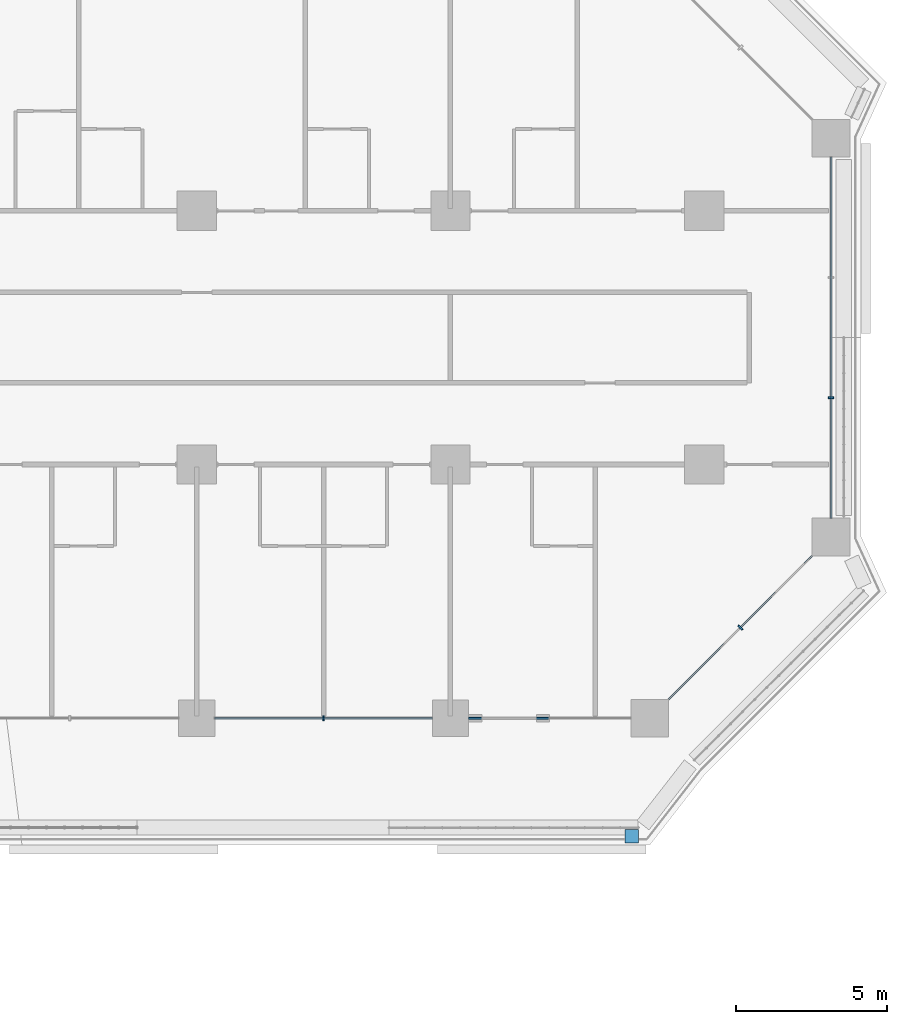
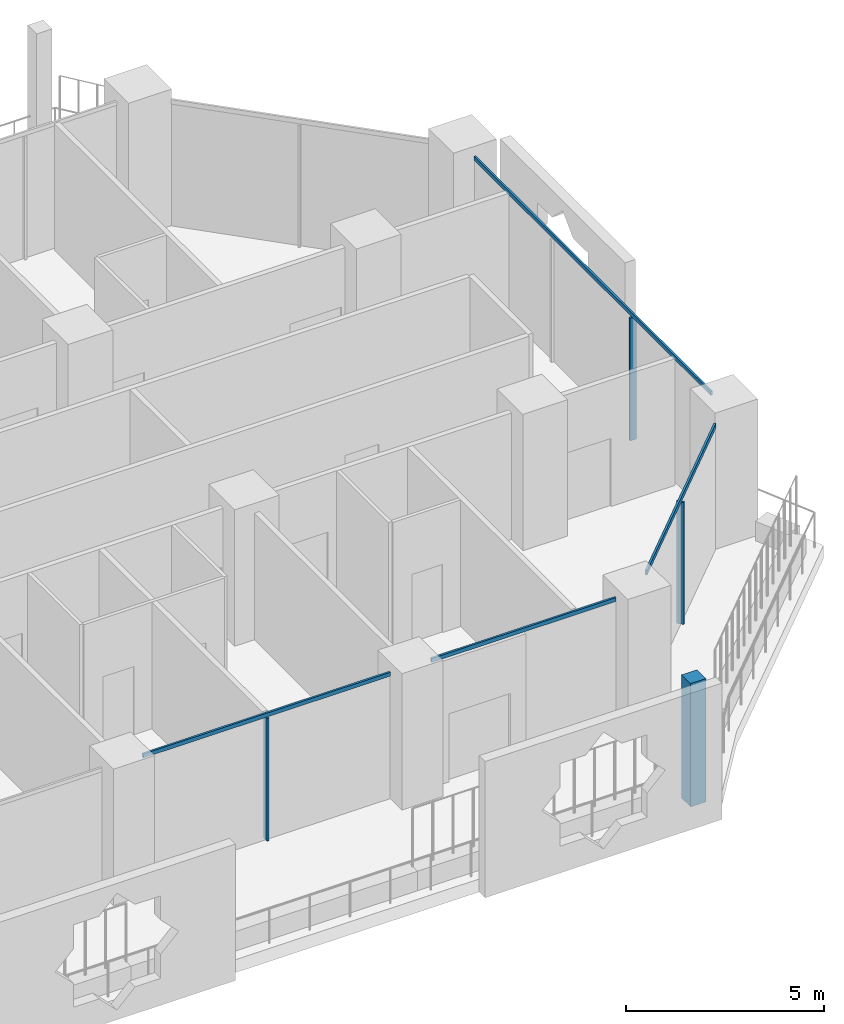
# One storey, part 7 of 27: 8 members, 4 elements without a shape of their own.
"""IFC4 building model written with IfcOpenShell, lengths in metres."""

from ifc_helpers import new_model, si_unit, direction, frame, origin, origin_2d, place, context, subcontext, project, spatial, rectangle, extrude, material, layer, layer_set, material_profile, profile_set, type_object, element, aggregate, save


model = new_model("IFC4")

# Units and contexts
model_context = context("Model", 3, precision=1e-05, world=origin(), true_north=direction((0.0, 1.0)))
body_context = subcontext(model_context, "Body", "Model", "MODEL_VIEW")
ifc_project = project(units=[si_unit("LENGTHUNIT", "METRE"), si_unit("AREAUNIT", "SQUARE_METRE"), si_unit("VOLUMEUNIT", "CUBIC_METRE"), si_unit("PLANEANGLEUNIT", "RADIAN"), si_unit("MASSUNIT", "GRAM", prefix="KILO")], contexts=[model_context])

# Site, building, storey
site_placement = place(None, origin())
site = spatial("IfcSite", under=ifc_project, at=site_placement, CompositionType="ELEMENT")
building_placement = place(site_placement, origin())
building = spatial("IfcBuilding", under=site, at=building_placement, Name="Kawkab Arch Medical Tower", CompositionType="ELEMENT")
storey_placement = place(building_placement, frame((0.0, 0.0, 85.39990234375)))
storey = spatial("IfcBuildingStorey", under=building, at=storey_placement, Name="L19", CompositionType="ELEMENT", Elevation=85.39990234375)

# Curtain wall, member
ifc_material_1 = material(Name="Bronze anodised aluminium curtain wall frame", Category="aluminium")
ifc_layer_1 = layer(ifc_material_1, 0.159912109375)
ifc_layer_set_1 = layer_set([ifc_layer_1], Name="Bronze anodised aluminium curtain wall frame")
curtain_wall_type_1 = type_object("IfcCurtainWallType", Name="CW1 ward curtain wall", PredefinedType="NOTDEFINED", material=ifc_layer_set_1)
placement = place(storey_placement, origin())
curtain_wall_1 = element("IfcCurtainWall", 1, at=placement, inside=storey, type_object=curtain_wall_type_1, Name="CW1 Ward curtain wall R07", PredefinedType="NOTDEFINED")
ifc_material_2 = material(Name="Bronze anodised aluminium curtain wall frame", Category="aluminium")
ifc_material_profile_1 = material_profile(ifc_material_2, rectangle(XDim=0.179931640625, YDim=0.06005859375, at=origin_2d()), Name="AL 60x180")
ifc_profile_set_1 = profile_set([ifc_material_profile_1], Name="Bronze anodised aluminium curtain wall frame")
member_type_1 = type_object("IfcMemberType", Name="CW1 mullion 60 x 180", PredefinedType="MULLION", material=ifc_profile_set_1)
member_1_placement = place(storey_placement, frame((63.0, -25.199951171875, 0.0), z_axis=(0.0, 0.0, 1.0), x_axis=(0.0, 1.0, 0.0)))
member_1 = element("IfcMember", 2, at=member_1_placement, type_object=member_type_1, Name="CW1 mullion 4.1", PredefinedType="MULLION", context=body_context, shape_type="SweptSolid", body=[
    extrude(rectangle(XDim=0.179931640625, YDim=0.06005859375, at=origin_2d()), origin(), (0.0, 0.0, 1.0), 3.780029296875),
])

curtain_wall_2 = element("IfcCurtainWall", 3, at=placement, inside=storey, type_object=curtain_wall_type_1, Name="CW1 Ward curtain wall R09", PredefinedType="NOTDEFINED")
member_2_placement = place(storey_placement, frame((79.800048828125, -14.591552734375, 0.0), z_axis=(0.0, 0.0, 1.0), x_axis=(-1.0, 0.0, 0.0)))
member_2 = element("IfcMember", 4, at=member_2_placement, type_object=member_type_1, Name="CW1 mullion 1.1", PredefinedType="MULLION", context=body_context, shape_type="SweptSolid", body=[
    extrude(rectangle(XDim=0.179931640625, YDim=0.06005859375, at=origin_2d()), origin(), (0.0, 0.0, 1.0), 3.780029296875),
])

# Member
ifc_material_3 = material(Name="Bronze anodised aluminium curtain wall frame", Category="aluminium")
ifc_material_profile_2 = material_profile(ifc_material_3, rectangle(XDim=0.06005859375, YDim=0.1201171875, at=origin_2d()), Name="AL 60x120")
ifc_profile_set_2 = profile_set([ifc_material_profile_2], Name="Bronze anodised aluminium curtain wall frame")
member_type_2 = type_object("IfcMemberType", Name="CW1 transom 120 x 60", PredefinedType="USERDEFINED", material=ifc_profile_set_2)
member_3_placement = place(storey_placement, frame((59.39990234375, -25.199951171875, 3.840087890625), z_axis=(1.0, 0.0, 0.0), x_axis=(0.0, 1.0, 0.0)))
member_3 = element("IfcMember", 5, at=member_3_placement, type_object=member_type_2, Name="CW1 transom 4", ObjectType="TRANSOM", PredefinedType="USERDEFINED", context=body_context, shape_type="SweptSolid", body=[
    extrude(rectangle(XDim=0.06005859375, YDim=0.1201171875, at=origin_2d()), origin(), (0.0, 0.0, 1.0), 7.2001953125),
])

member_4_placement = place(storey_placement, frame((67.800048828125, -25.199951171875, 3.840087890625), z_axis=(1.0, 0.0, 0.0), x_axis=(0.0, 1.0, 0.0)))
member_4 = element("IfcMember", 6, at=member_4_placement, type_object=member_type_2, Name="CW1 transom 5", ObjectType="TRANSOM", PredefinedType="USERDEFINED", context=body_context, shape_type="SweptSolid", body=[
    extrude(rectangle(XDim=0.06005859375, YDim=0.1201171875, at=origin_2d()), origin(), (0.0, 0.0, 1.0), 5.375),
])

aggregate(curtain_wall_1, [member_3, member_1, member_4])

member_5_placement = place(storey_placement, frame((79.800048828125, -18.574951171875, 3.840087890625), z_axis=(0.0, 1.0, 0.0), x_axis=(-1.0, 0.0, 0.0)))
member_5 = element("IfcMember", 7, at=member_5_placement, type_object=member_type_2, Name="CW1 transom 1", ObjectType="TRANSOM", PredefinedType="USERDEFINED", context=body_context, shape_type="SweptSolid", body=[
    extrude(rectangle(XDim=0.06005859375, YDim=0.1201171875, at=origin_2d()), origin(), (0.0, 0.0, 1.0), 11.949951171875),
])

aggregate(curtain_wall_2, [member_5, member_2])

# Curtain wall, members
ifc_material_4 = material(Name="Bronze anodised aluminium curtain wall frame", Category="aluminium")
ifc_layer_2 = layer(ifc_material_4, 0.159912109375)
ifc_layer_set_2 = layer_set([ifc_layer_2], Name="Bronze anodised aluminium curtain wall frame")
curtain_wall_type_2 = type_object("IfcCurtainWallType", Name="CW2 chamfer curtain wall", PredefinedType="NOTDEFINED", material=ifc_layer_set_2)
curtain_wall_3 = element("IfcCurtainWall", 8, at=placement, inside=storey, type_object=curtain_wall_type_2, Name="CW2 Chamfer curtain wall R08", PredefinedType="NOTDEFINED")
ifc_material_5 = material(Name="Bronze anodised aluminium curtain wall frame", Category="aluminium")
ifc_material_profile_3 = material_profile(ifc_material_5, rectangle(XDim=0.199951171875, YDim=0.06005859375, at=origin_2d()), Name="AL 60x200")
ifc_profile_set_3 = profile_set([ifc_material_profile_3], Name="Bronze anodised aluminium curtain wall frame")
member_type_3 = type_object("IfcMemberType", Name="CW2 mullion 60 x 200", PredefinedType="MULLION", material=ifc_profile_set_3)
member_6_placement = place(storey_placement, frame((76.800048828125, -22.199951171875, 0.0), z_axis=(0.0, 0.0, 1.0), x_axis=(-0.707106781187, 0.707106781187, 0.0)))
member_6 = element("IfcMember", 9, at=member_6_placement, type_object=member_type_3, Name="CW2 mullion 1.1", PredefinedType="MULLION", context=body_context, shape_type="SweptSolid", body=[
    extrude(rectangle(XDim=0.199951171875, YDim=0.06005859375, at=origin_2d()), origin(), (0.0, 0.0, 1.0), 3.760009765625),
])
ifc_material_6 = material(Name="Bronze anodised aluminium curtain wall frame", Category="aluminium")
ifc_material_profile_4 = material_profile(ifc_material_6, rectangle(XDim=0.06005859375, YDim=0.139892578125, at=origin_2d()), Name="AL 60x140")
ifc_profile_set_4 = profile_set([ifc_material_profile_4], Name="Bronze anodised aluminium curtain wall frame")
member_type_4 = type_object("IfcMemberType", Name="CW2 transom 140 x 60", PredefinedType="USERDEFINED", material=ifc_profile_set_4)
member_7_placement = place(storey_placement, frame((74.425048828125, -24.574951171875, 3.830078125), z_axis=(0.707106781187, 0.707106781187, 0.0), x_axis=(-0.707106781187, 0.707106781187, 0.0)))
member_7 = element("IfcMember", 10, at=member_7_placement, type_object=member_type_4, Name="CW2 transom 1", ObjectType="TRANSOM", PredefinedType="USERDEFINED", context=body_context, shape_type="SweptSolid", body=[
    extrude(rectangle(XDim=0.06005859375, YDim=0.139892578125, at=origin_2d()), origin(), (0.0, 0.0, 1.0), 6.717529296875),
])
aggregate(curtain_wall_3, [member_7, member_6])

# Curtain wall, member
ifc_material_7 = material(Name="Bronze anodised aluminium climber frame, planted", Category="aluminium")
ifc_layer_3 = layer(ifc_material_7, 0.449951171875)
ifc_layer_set_3 = layer_set([ifc_layer_3], Name="Bronze anodised aluminium climber frame, planted")
curtain_wall_type_3 = type_object("IfcCurtainWallType", Name="Planted climber frame", PredefinedType="NOTDEFINED", material=ifc_layer_set_3)
curtain_wall_4 = element("IfcCurtainWall", 11, at=placement, inside=storey, type_object=curtain_wall_type_3, Name="Planted climber frame L19", PredefinedType="NOTDEFINED")
ifc_material_8 = material(Name="Bronze anodised aluminium climber frame, planted", Category="aluminium")
ifc_material_profile_5 = material_profile(ifc_material_8, rectangle(XDim=0.449951171875, YDim=0.449951171875, at=origin_2d()), Name="Post 450x450")
ifc_profile_set_5 = profile_set([ifc_material_profile_5], Name="Bronze anodised aluminium climber frame, planted")
member_type_5 = type_object("IfcMemberType", Name="Planted climber post 450 x 450", PredefinedType="MULLION", material=ifc_profile_set_5)
member_8_placement = place(storey_placement, frame((73.202880859375, -29.10009765625, 0.0), z_axis=(0.0, 0.0, 1.0), x_axis=(1.0, 0.0, 0.0)))
member_8 = element("IfcMember", 12, at=member_8_placement, type_object=member_type_5, Name="Planted climber post L19.LOG-01-01.5", PredefinedType="MULLION", context=body_context, shape_type="SweptSolid", body=[
    extrude(rectangle(XDim=0.449951171875, YDim=0.449951171875, at=origin_2d()), origin(), (0.0, 0.0, 1.0), 3.800048828125),
])
aggregate(curtain_wall_4, [member_8])

save(model, "model.ifc")
